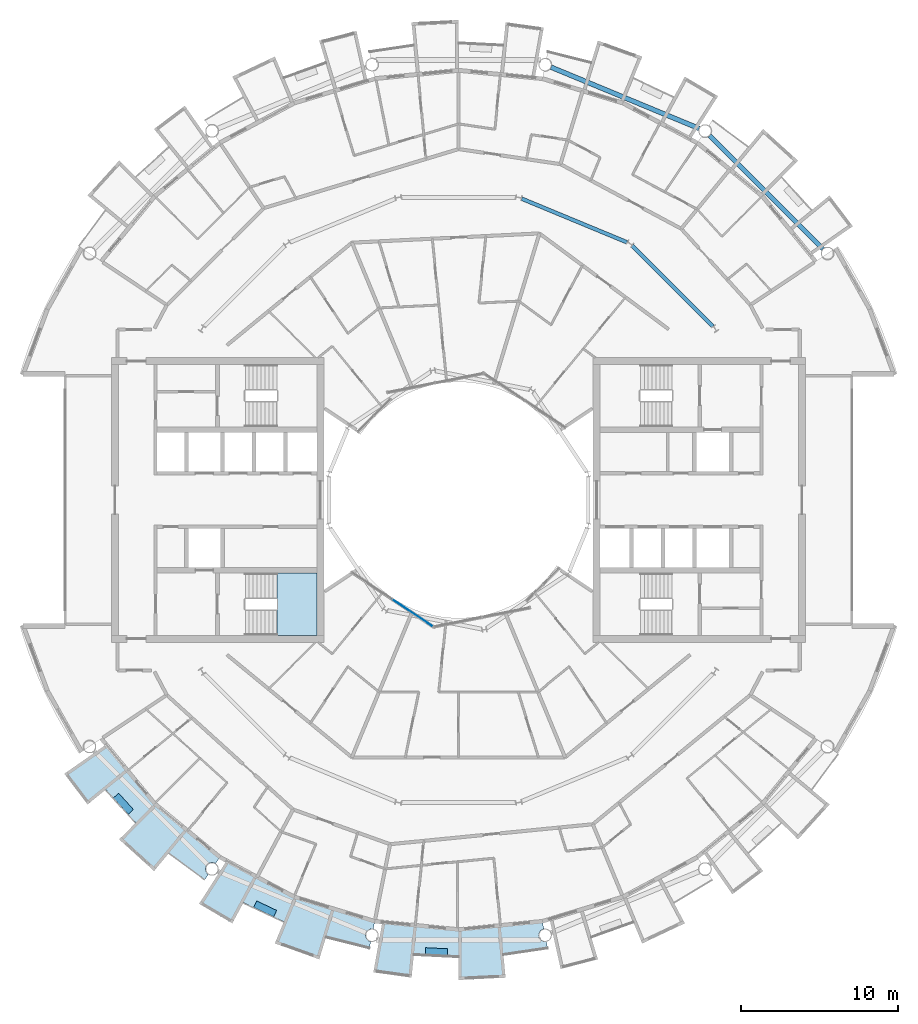
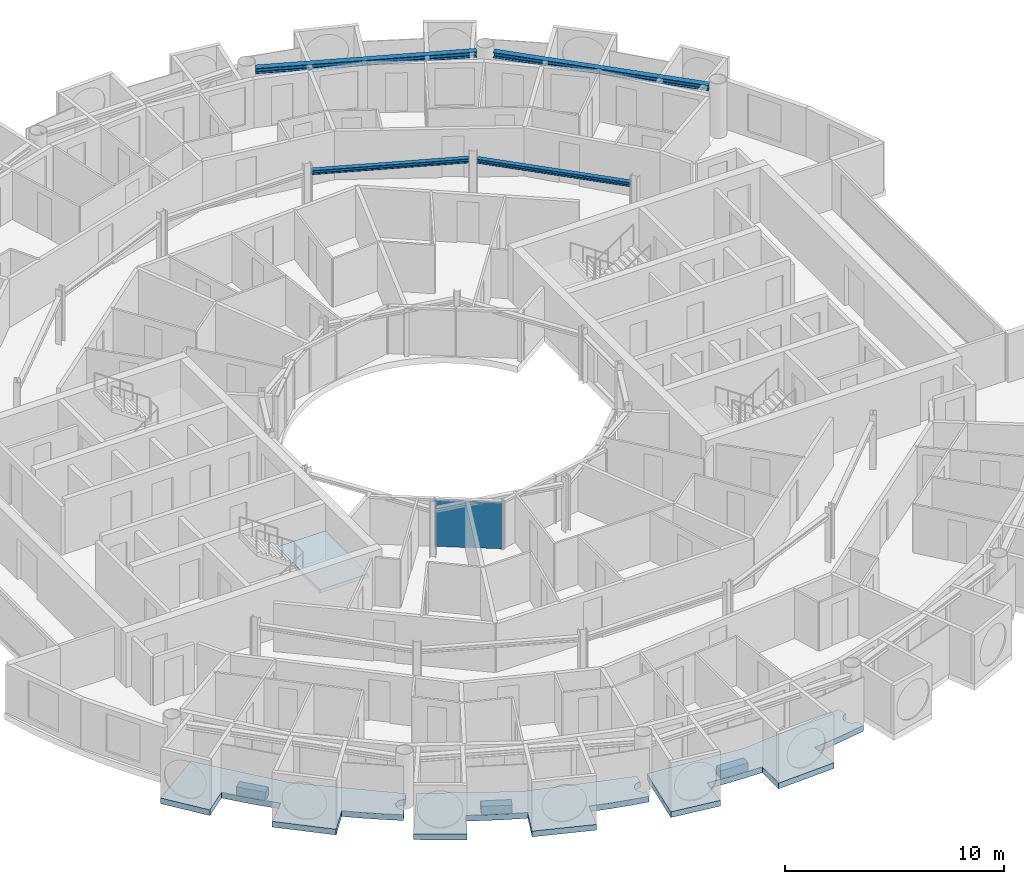
# One storey, part 11 of 29: 7 slabs, 4 beams, 1 plate, 2 elements without a shape of their own.
"""IFC4 building model written with IfcOpenShell, lengths in metres."""

from ifc_helpers import new_model, si_unit, direction, frame, origin, origin_2d, place, context, subcontext, project, spatial, polyline, rectangle, i_section, outline, extrude, material, layer, layer_set, material_profile, profile_set, type_object, element, aggregate, save


model = new_model("IFC4")

# Units and contexts
model_context = context("Model", 3, precision=1e-05, world=origin(), true_north=direction((0.0, 1.0)))
body_context = subcontext(model_context, "Body", "Model", "MODEL_VIEW")
ifc_project = project(units=[si_unit("LENGTHUNIT", "METRE"), si_unit("AREAUNIT", "SQUARE_METRE"), si_unit("VOLUMEUNIT", "CUBIC_METRE"), si_unit("PLANEANGLEUNIT", "RADIAN"), si_unit("MASSUNIT", "GRAM", prefix="KILO")], contexts=[model_context])

# Site, building, storey
site_placement = place(None, origin())
site = spatial("IfcSite", under=ifc_project, at=site_placement, CompositionType="ELEMENT")
building_placement = place(site_placement, origin())
building = spatial("IfcBuilding", under=site, at=building_placement, Name="Maasbend Ring Residences", CompositionType="ELEMENT")
storey_placement = place(building_placement, frame((0.0, 0.0, 202.39990234375)))
storey = spatial("IfcBuildingStorey", under=building, at=storey_placement, Name="L58", CompositionType="ELEMENT", Elevation=202.39990234375)

# Beams
ifc_material_1 = material(Name="Steel S355J2", Category="steel")
ifc_material_profile_1 = material_profile(ifc_material_1, i_section(OverallWidth=0.239990234375, OverallDepth=0.22998046875, WebThickness=0.007568359375, FlangeThickness=0.011962890625, FilletRadius=0.02099609375, at=origin_2d()), Name="HEA 240")
ifc_profile_set_1 = profile_set([ifc_material_profile_1], Name="Steel S355J2")
beam_type_1 = type_object("IfcBeamType", Name="Corridor ring beam HEA 240", PredefinedType="BEAM", material=ifc_profile_set_1)
beam_1_placement = place(storey_placement, frame((16.152587890625, 11.033447265625, 2.585205078125), z_axis=(-0.707106781187, 0.707106781187, 0.0), x_axis=(-0.707106781187, -0.707106781187, 0.0)))
element("IfcBeam", 1, at=beam_1_placement, inside=storey, type_object=beam_type_1, Name="Corridor ring beam", PredefinedType="BEAM", context=body_context, shape_type="SweptSolid", body=[
    extrude(i_section(OverallWidth=0.239990234375, OverallDepth=0.22998046875, WebThickness=0.007568359375, FlangeThickness=0.011962890625, FilletRadius=0.02099609375, at=origin_2d()), origin(), (0.0, 0.0, 1.0), 7.239501953125),
])
beam_2_placement = place(storey_placement, frame((10.70068359375, 16.374755859375, 2.585205078125), z_axis=(-0.923865162022, 0.382718123952, 0.0), x_axis=(-0.382718123952, -0.923865162022, 0.0)))
element("IfcBeam", 2, at=beam_2_placement, inside=storey, type_object=beam_type_1, Name="Corridor ring beam", PredefinedType="BEAM", context=body_context, shape_type="SweptSolid", body=[
    extrude(i_section(OverallWidth=0.239990234375, OverallDepth=0.22998046875, WebThickness=0.007568359375, FlangeThickness=0.011962890625, FilletRadius=0.02099609375, at=origin_2d()), origin(), (0.0, 0.0, 1.0), 7.23974609375),
])
ifc_material_2 = material(Name="Steel S355J2", Category="steel")
ifc_material_profile_2 = material_profile(ifc_material_2, i_section(OverallWidth=0.300048828125, OverallDepth=0.300048828125, WebThickness=0.010986328125, FlangeThickness=0.01904296875, FilletRadius=0.027099609375, at=origin_2d()), Name="HEB 300")
ifc_profile_set_2 = profile_set([ifc_material_profile_2], Name="Steel S355J2")
beam_type_2 = type_object("IfcBeamType", Name="Spandrel ring beam HEB 300", PredefinedType="SPANDREL", material=ifc_profile_set_2)
for number, where, z_axis, x_axis, name in (
    (3, (23.159912109375, 15.95458984375, 2.550048828125), (-0.707106781187, 0.707106781187, 0.0), (-0.707106781187, -0.707106781187, 0.0), "Spandrel ring beam"),
    (4, (15.29150390625, 23.60302734375, 2.550048828125), (-0.923883676188, 0.382673428492, 0.0), (-0.382673428492, -0.923883676188, 0.0), "Spandrel ring beam"),
):
    element("IfcBeam", number, at=place(storey_placement, frame(where, z_axis=z_axis, x_axis=x_axis)), inside=storey, type_object=beam_type_2, Name=name, PredefinedType="SPANDREL", context=body_context, shape_type="SweptSolid", body=[
        extrude(i_section(OverallWidth=0.300048828125, OverallDepth=0.300048828125, WebThickness=0.010986328125, FlangeThickness=0.01904296875, FilletRadius=0.027099609375, at=origin_2d()), origin(), (0.0, 0.0, 1.0), 10.18994140625),
    ])

# Stair, slab
ifc_material_3 = material(Name="Concrete C40/50", Category="concrete")
stair_type = type_object("IfcStairType", Name="CORE STAIR 18 RISERS", PredefinedType="HALF_TURN_STAIR", material=ifc_material_3)
stair_placement = place(storey_placement, origin())
stair = element("IfcStair", 5, at=stair_placement, inside=storey, type_object=stair_type, Name="L58 Exit stair ST-W1", PredefinedType="HALF_TURN_STAIR")
ifc_material_4 = material(Name="Concrete C40/50", Category="concrete")
ifc_layer_1 = layer(ifc_material_4, 0.199951171875)
ifc_layer_set_1 = layer_set([ifc_layer_1], Name="Concrete C40/50")
slab_type_1 = type_object("IfcSlabType", Name="CORE STAIR LANDING 200", PredefinedType="LANDING", material=ifc_layer_set_1)
slab_1_placement = place(storey_placement, frame((0.0, 0.0, 1.3251953125)))
slab_1 = element("IfcSlab", 6, at=slab_1_placement, type_object=slab_type_1, Name="ST-W1 landing 1", PredefinedType="LANDING", context=body_context, shape_type="SweptSolid", body=[
    extrude(outline(polyline([(-11.550048828125, -8.60009765625), (-9.0, -8.60009765625), (-9.0, -4.64990234375), (-11.550048828125, -4.64990234375), (-11.550048828125, -8.60009765625)])), origin(), (0.0, 0.0, 1.0), 0.199951171875),
])
aggregate(stair, [slab_1])

# Curtain wall, plate
ifc_material_5 = material(Name="Aluminium and clear glass", Category="aluminium")
ifc_layer_2 = layer(ifc_material_5, 0.179931640625)
ifc_layer_set_2 = layer_set([ifc_layer_2], Name="CW-W")
curtain_wall_type = type_object("IfcCurtainWallType", Name="CW-W", PredefinedType="NOTDEFINED", material=ifc_layer_set_2)
curtain_wall_placement = place(storey_placement, origin())
curtain_wall = element("IfcCurtainWall", 7, at=curtain_wall_placement, inside=storey, type_object=curtain_wall_type, Name="Well curtain wall S1", PredefinedType="NOTDEFINED")
ifc_material_6 = material(Name="Glass clear laminated", Category="glass")
ifc_layer_3 = layer(ifc_material_6, 0.031982421875)
ifc_layer_set_3 = layer_set([ifc_layer_3], Name="CWP-W")
plate_type = type_object("IfcPlateType", Name="CWP-W", PredefinedType="CURTAIN_PANEL", material=ifc_layer_set_3)
plate_placement = place(storey_placement, frame((-2.922119140625, -7.17578125, 0.0), z_axis=(0.0, 0.0, 1.0), x_axis=(0.831469612303, -0.55557023302, 0.0)))
plate = element("IfcPlate", 8, at=plate_placement, type_object=plate_type, Name="Glass panel well face", PredefinedType="CURTAIN_PANEL", context=body_context, shape_type="SweptSolid", body=[
    extrude(rectangle(XDim=3.053955078125, YDim=0.031982421875, at=origin_2d()), origin(), (0.0, 0.0, 1.0), 2.580078125),
])
aggregate(curtain_wall, [plate])

# Slabs
ifc_material_7 = material(Name="Planting with climbing greenery")
ifc_layer_4 = layer(ifc_material_7, 0.449951171875)
ifc_layer_set_4 = layer_set([ifc_layer_4], Name="PLANTER-LG")
slab_type_2 = type_object("IfcSlabType", Name="PLANTER-LG", PredefinedType="USERDEFINED", material=ifc_layer_set_4)
slab_2_placement = place(storey_placement, frame((0.0, 0.0, -0.02978515625)))
element("IfcSlab", 9, at=slab_2_placement, inside=storey, type_object=slab_type_2, Name="Planter with climbing greenery 1", ObjectType="PLANTER", PredefinedType="USERDEFINED", context=body_context, shape_type="SweptSolid", body=[
    extrude(outline(polyline([(-21.931884765625, -18.93310546875), (-20.991943359375, -19.969970703125), (-20.657958984375, -19.66796875), (-21.597900390625, -18.631103515625), (-21.931884765625, -18.93310546875)])), origin(), (0.0, 0.0, 1.0), 0.449951171875),
])
slab_3_placement = place(storey_placement, frame((0.0, 0.0, -0.02978515625)))
element("IfcSlab", 10, at=slab_3_placement, inside=storey, type_object=slab_type_2, Name="Planter with climbing greenery 2", ObjectType="PLANTER", PredefinedType="USERDEFINED", context=body_context, shape_type="SweptSolid", body=[
    extrude(outline(polyline([(-13.01708984375, -25.885009765625), (-11.7509765625, -26.48291015625), (-11.55908203125, -26.076904296875), (-12.824951171875, -25.47802734375), (-13.01708984375, -25.885009765625)])), origin(), (0.0, 0.0, 1.0), 0.449951171875),
])
slab_4_placement = place(storey_placement, frame((0.0, 0.0, -0.02978515625)))
element("IfcSlab", 11, at=slab_4_placement, inside=storey, type_object=slab_type_2, Name="Planter with climbing greenery 3", ObjectType="PLANTER", PredefinedType="USERDEFINED", context=body_context, shape_type="SweptSolid", body=[
    extrude(outline(polyline([(-2.1201171875, -28.89599609375), (-0.721923828125, -28.965087890625), (-0.699951171875, -28.514892578125), (-2.097900390625, -28.446044921875), (-2.1201171875, -28.89599609375)])), origin(), (0.0, 0.0, 1.0), 0.449951171875),
])
ifc_material_8 = material(Name="Concrete C40/50", Category="concrete")
ifc_layer_5 = layer(ifc_material_8, 0.199951171875)
ifc_layer_set_5 = layer_set([ifc_layer_5], Name="Concrete C40/50")
slab_type_3 = type_object("IfcSlabType", Name="SL-LOGGIA", PredefinedType="FLOOR", material=ifc_layer_set_5)
slab_5_placement = place(storey_placement, frame((0.0, 0.0, -0.349853515625)))
element("IfcSlab", 12, at=slab_5_placement, inside=storey, type_object=slab_type_3, Name="Loggia floor 2", PredefinedType="FLOOR", context=body_context, shape_type="SweptSolid", body=[
    extrude(outline(polyline([(-12.806884765625, -23.9609375), (-10.447021484375, -25.221923828125), (-10.447021484375, -25.221923828125), (-10.447021484375, -25.221923828125), (-7.886962890625, -25.9990234375), (-5.325927734375, -26.77490234375), (-5.325927734375, -26.77490234375), (-5.325927734375, -26.77490234375), (-5.422119140625, -27.259033203125), (-5.431884765625, -27.258056640625), (-5.44189453125, -27.256103515625), (-5.451904296875, -27.2548828125), (-5.4619140625, -27.25390625), (-5.471923828125, -27.2529296875), (-5.48193359375, -27.251953125), (-5.491943359375, -27.251953125), (-5.501953125, -27.251953125), (-5.510986328125, -27.251953125), (-5.52099609375, -27.251953125), (-5.531005859375, -27.2529296875), (-5.541015625, -27.25390625), (-5.551025390625, -27.2548828125), (-5.56103515625, -27.256103515625), (-5.571044921875, -27.258056640625), (-5.5810546875, -27.259033203125), (-5.591064453125, -27.260986328125), (-5.60009765625, -27.263916015625), (-5.610107421875, -27.26611328125), (-5.6201171875, -27.26904296875), (-5.62890625, -27.27197265625), (-5.637939453125, -27.27490234375), (-5.64794921875, -27.279052734375), (-5.656982421875, -27.282958984375), (-5.666015625, -27.285888671875), (-5.675048828125, -27.291015625), (-5.68408203125, -27.294921875), (-5.693115234375, -27.300048828125), (-5.701904296875, -27.303955078125), (-5.7099609375, -27.30908203125), (-5.718994140625, -27.31494140625), (-5.72705078125, -27.320068359375), (-5.736083984375, -27.325927734375), (-5.743896484375, -27.33203125), (-5.751953125, -27.337890625), (-5.759033203125, -27.343994140625), (-5.76708984375, -27.35009765625), (-5.77392578125, -27.35693359375), (-5.781982421875, -27.364013671875), (-5.7890625, -27.37109375), (-5.7958984375, -27.3779296875), (-5.802978515625, -27.385009765625), (-5.80908203125, -27.39306640625), (-5.81591796875, -27.39990234375), (-5.822021484375, -27.407958984375), (-5.827880859375, -27.416015625), (-5.833984375, -27.424072265625), (-5.839111328125, -27.431884765625), (-5.844970703125, -27.44091796875), (-5.85009765625, -27.448974609375), (-5.85498046875, -27.4580078125), (-5.860107421875, -27.466064453125), (-5.864990234375, -27.47509765625), (-5.868896484375, -27.48388671875), (-5.873046875, -27.492919921875), (-5.876953125, -27.5029296875), (-5.881103515625, -27.511962890625), (-5.884033203125, -27.52099609375), (-5.886962890625, -27.531005859375), (-5.889892578125, -27.5400390625), (-5.89306640625, -27.550048828125), (-5.89599609375, -27.55908203125), (-5.89794921875, -27.569091796875), (-5.89990234375, -27.5791015625), (-5.902099609375, -27.589111328125), (-5.904052734375, -27.597900390625), (-5.905029296875, -27.60791015625), (-5.906005859375, -27.617919921875), (-5.906982421875, -27.6279296875), (-5.907958984375, -27.637939453125), (-5.907958984375, -27.64794921875), (-5.907958984375, -27.657958984375), (-5.907958984375, -27.66796875), (-5.907958984375, -27.677978515625), (-5.906982421875, -27.68798828125), (-5.906005859375, -27.697998046875), (-5.905029296875, -27.7080078125), (-5.904052734375, -27.718017578125), (-5.902099609375, -27.72802734375), (-5.89990234375, -27.737060546875), (-5.89794921875, -27.7470703125), (-5.89599609375, -27.757080078125), (-5.89306640625, -27.76708984375), (-5.889892578125, -27.77587890625), (-5.886962890625, -27.785888671875), (-5.884033203125, -27.794921875), (-5.881103515625, -27.803955078125), (-5.876953125, -27.81396484375), (-5.873046875, -27.822998046875), (-5.868896484375, -27.83203125), (-5.864990234375, -27.841064453125), (-5.860107421875, -27.85009765625), (-5.85498046875, -27.85791015625), (-5.85009765625, -27.866943359375), (-5.844970703125, -27.8759765625), (-5.839111328125, -27.884033203125), (-5.833984375, -27.89208984375), (-5.827880859375, -27.89990234375), (-5.822021484375, -27.907958984375), (-5.81591796875, -27.916015625), (-5.80908203125, -27.924072265625), (-5.802978515625, -27.930908203125), (-5.7958984375, -27.93798828125), (-5.7890625, -27.946044921875), (-5.781982421875, -27.952880859375), (-5.77392578125, -27.958984375), (-5.76708984375, -27.966064453125), (-5.759033203125, -27.971923828125), (-5.751953125, -27.97900390625), (-5.743896484375, -27.985107421875), (-5.736083984375, -27.989990234375), (-5.72705078125, -27.99609375), (-5.718994140625, -28.001953125), (-5.7099609375, -28.007080078125), (-5.701904296875, -28.011962890625), (-5.693115234375, -28.01708984375), (-5.68408203125, -28.02099609375), (-5.675048828125, -28.02587890625), (-5.666015625, -28.030029296875), (-5.656982421875, -28.033935546875), (-5.64794921875, -28.037109375), (-5.637939453125, -28.041015625), (-5.62890625, -28.0439453125), (-5.6201171875, -28.047119140625), (-5.610107421875, -28.050048828125), (-5.60009765625, -28.052001953125), (-5.591064453125, -28.054931640625), (-5.5810546875, -28.056884765625), (-5.657958984375, -28.443115234375), (-5.657958984375, -28.443115234375), (-5.657958984375, -28.443115234375), (-6.5849609375, -28.241943359375), (-6.5849609375, -28.241943359375), (-7.506103515625, -28.011962890625), (-7.506103515625, -28.011962890625), (-8.41796875, -27.7509765625), (-8.41796875, -27.7509765625), (-8.41796875, -27.7509765625), (-8.41796875, -27.7509765625), (-8.41796875, -27.7509765625), (-8.41796875, -27.7509765625), (-8.41796875, -27.7509765625), (-8.41796875, -27.7509765625), (-8.41796875, -27.7509765625), (-8.41796875, -27.7509765625), (-8.41796875, -27.751953125), (-8.41796875, -27.751953125), (-8.41796875, -27.751953125), (-8.41796875, -27.751953125), (-8.41796875, -27.751953125), (-8.41796875, -27.751953125), (-8.41796875, -27.751953125), (-8.85400390625, -29.18701171875), (-8.85400390625, -29.18701171875), (-8.85400390625, -29.18701171875), (-11.672119140625, -28.177978515625), (-11.672119140625, -28.177978515625), (-11.672119140625, -28.177978515625), (-11.097900390625, -26.79296875), (-11.097900390625, -26.79296875), (-11.097900390625, -26.79296875), (-11.097900390625, -26.79296875), (-11.097900390625, -26.79296875), (-11.097900390625, -26.79296875), (-11.097900390625, -26.79296875), (-11.097900390625, -26.79296875), (-11.097900390625, -26.79296875), (-11.097900390625, -26.79296875), (-11.097900390625, -26.7919921875), (-11.097900390625, -26.7919921875), (-11.097900390625, -26.7919921875), (-11.097900390625, -26.7919921875), (-11.097900390625, -26.7919921875), (-11.097900390625, -26.7919921875), (-11.097900390625, -26.7919921875), (-11.968994140625, -26.4150390625), (-11.968994140625, -26.4150390625), (-12.825927734375, -26.009033203125), (-12.825927734375, -26.009033203125), (-13.669921875, -25.575927734375), (-13.669921875, -25.575927734375), (-13.669921875, -25.575927734375), (-13.669921875, -25.575927734375), (-13.669921875, -25.575927734375), (-13.669921875, -25.575927734375), (-13.669921875, -25.575927734375), (-13.669921875, -25.575927734375), (-13.669921875, -25.575927734375), (-13.669921875, -25.575927734375), (-13.6708984375, -25.575927734375), (-13.6708984375, -25.575927734375), (-13.6708984375, -25.575927734375), (-13.6708984375, -25.575927734375), (-13.6708984375, -25.575927734375), (-13.6708984375, -25.575927734375), (-13.6708984375, -25.575927734375), (-14.3779296875, -26.89892578125), (-14.3779296875, -26.89892578125), (-14.3779296875, -26.89892578125), (-16.487060546875, -25.659912109375), (-16.487060546875, -25.659912109375), (-16.487060546875, -25.659912109375), (-14.73291015625, -22.930908203125), (-14.73291015625, -22.930908203125), (-14.73291015625, -22.930908203125), (-12.806884765625, -23.9609375)])), origin(), (0.0, 0.0, 1.0), 0.320068359375),
])
slab_6_placement = place(storey_placement, frame((0.0, 0.0, -0.349853515625)))
element("IfcSlab", 13, at=slab_6_placement, inside=storey, type_object=slab_type_3, Name="Loggia floor 3", PredefinedType="FLOOR", context=body_context, shape_type="SweptSolid", body=[
    extrude(outline(polyline([(-2.6630859375, -27.0380859375), (0.0, -27.300048828125), (0.0, -27.300048828125), (0.0, -27.300048828125), (2.6630859375, -27.0380859375), (5.325927734375, -26.77490234375), (5.325927734375, -26.77490234375), (5.325927734375, -26.77490234375), (5.422119140625, -27.259033203125), (5.422119140625, -27.259033203125), (5.412109375, -27.260986328125), (5.403076171875, -27.263916015625), (5.39306640625, -27.26611328125), (5.383056640625, -27.26904296875), (5.3740234375, -27.27197265625), (5.364990234375, -27.27490234375), (5.35498046875, -27.279052734375), (5.345947265625, -27.282958984375), (5.3369140625, -27.285888671875), (5.327880859375, -27.291015625), (5.319091796875, -27.294921875), (5.31005859375, -27.300048828125), (5.301025390625, -27.303955078125), (5.29296875, -27.30908203125), (5.283935546875, -27.31494140625), (5.27587890625, -27.320068359375), (5.26708984375, -27.325927734375), (5.259033203125, -27.33203125), (5.2509765625, -27.337890625), (5.243896484375, -27.343994140625), (5.236083984375, -27.35009765625), (5.22900390625, -27.35693359375), (5.220947265625, -27.364013671875), (5.214111328125, -27.37109375), (5.20703125, -27.3779296875), (5.199951171875, -27.385009765625), (5.194091796875, -27.39306640625), (5.18701171875, -27.39990234375), (5.180908203125, -27.407958984375), (5.175048828125, -27.416015625), (5.1689453125, -27.424072265625), (5.1640625, -27.431884765625), (5.157958984375, -27.44091796875), (5.153076171875, -27.448974609375), (5.14794921875, -27.4580078125), (5.14306640625, -27.466064453125), (5.137939453125, -27.47509765625), (5.134033203125, -27.48388671875), (5.1298828125, -27.492919921875), (5.1259765625, -27.5029296875), (5.1220703125, -27.511962890625), (5.118896484375, -27.52099609375), (5.115966796875, -27.531005859375), (5.113037109375, -27.5400390625), (5.110107421875, -27.550048828125), (5.10693359375, -27.55908203125), (5.10498046875, -27.569091796875), (5.10302734375, -27.5791015625), (5.10107421875, -27.589111328125), (5.09912109375, -27.597900390625), (5.097900390625, -27.60791015625), (5.096923828125, -27.617919921875), (5.095947265625, -27.6279296875), (5.094970703125, -27.637939453125), (5.094970703125, -27.64794921875), (5.094970703125, -27.657958984375), (5.094970703125, -27.66796875), (5.094970703125, -27.677978515625), (5.095947265625, -27.68798828125), (5.096923828125, -27.697998046875), (5.097900390625, -27.7080078125), (5.09912109375, -27.718017578125), (5.10107421875, -27.72802734375), (5.10302734375, -27.737060546875), (5.10498046875, -27.7470703125), (5.10693359375, -27.757080078125), (5.110107421875, -27.76708984375), (5.113037109375, -27.77587890625), (5.115966796875, -27.785888671875), (5.118896484375, -27.794921875), (5.1220703125, -27.803955078125), (5.1259765625, -27.81396484375), (5.1298828125, -27.822998046875), (5.134033203125, -27.83203125), (5.137939453125, -27.841064453125), (5.14306640625, -27.85009765625), (5.14794921875, -27.85791015625), (5.153076171875, -27.866943359375), (5.157958984375, -27.8759765625), (5.1640625, -27.884033203125), (5.1689453125, -27.89208984375), (5.175048828125, -27.89990234375), (5.180908203125, -27.907958984375), (5.18701171875, -27.916015625), (5.194091796875, -27.924072265625), (5.199951171875, -27.930908203125), (5.20703125, -27.93798828125), (5.214111328125, -27.946044921875), (5.220947265625, -27.952880859375), (5.22900390625, -27.958984375), (5.236083984375, -27.966064453125), (5.243896484375, -27.971923828125), (5.2509765625, -27.97900390625), (5.259033203125, -27.985107421875), (5.26708984375, -27.989990234375), (5.27587890625, -27.99609375), (5.283935546875, -28.001953125), (5.29296875, -28.007080078125), (5.301025390625, -28.011962890625), (5.31005859375, -28.01708984375), (5.319091796875, -28.02099609375), (5.327880859375, -28.02587890625), (5.3369140625, -28.030029296875), (5.345947265625, -28.033935546875), (5.35498046875, -28.037109375), (5.364990234375, -28.041015625), (5.3740234375, -28.0439453125), (5.383056640625, -28.047119140625), (5.39306640625, -28.050048828125), (5.403076171875, -28.052001953125), (5.412109375, -28.054931640625), (5.422119140625, -28.056884765625), (5.431884765625, -28.05908203125), (5.44189453125, -28.06005859375), (5.451904296875, -28.06201171875), (5.4619140625, -28.06298828125), (5.471923828125, -28.06298828125), (5.48193359375, -28.06396484375), (5.491943359375, -28.06396484375), (5.501953125, -28.06494140625), (5.510986328125, -28.06396484375), (5.52099609375, -28.06396484375), (5.531005859375, -28.06298828125), (5.541015625, -28.06298828125), (5.551025390625, -28.06201171875), (5.56103515625, -28.06005859375), (5.571044921875, -28.05908203125), (5.5810546875, -28.056884765625), (5.5810546875, -28.056884765625), (5.657958984375, -28.443115234375), (5.657958984375, -28.443115234375), (5.657958984375, -28.443115234375), (4.72412109375, -28.613037109375), (4.72412109375, -28.613037109375), (3.784912109375, -28.751953125), (3.784912109375, -28.751953125), (2.843017578125, -28.860107421875), (2.843017578125, -28.860107421875), (2.843017578125, -28.860107421875), (2.843017578125, -28.860107421875), (2.843017578125, -28.860107421875), (2.843017578125, -28.860107421875), (2.843017578125, -28.860107421875), (2.843017578125, -28.860107421875), (2.843017578125, -28.860107421875), (2.843017578125, -28.861083984375), (2.843017578125, -28.861083984375), (2.843017578125, -28.861083984375), (2.843017578125, -28.861083984375), (2.843017578125, -28.861083984375), (2.843017578125, -28.861083984375), (2.843017578125, -28.861083984375), (2.843017578125, -28.861083984375), (2.989990234375, -30.35302734375), (2.989990234375, -30.35302734375), (2.989990234375, -30.35302734375), (0.0, -30.5), (0.0, -30.5), (0.0, -30.5), (0.0, -29.0), (0.0, -29.0), (0.0, -29.0), (0.0, -29.0), (0.0, -29.0), (0.0, -29.0), (0.0, -29.0), (0.0, -29.0), (0.0, -29.0), (0.0, -29.0), (0.0, -29.0), (0.0, -29.0), (0.0, -29.0), (0.0, -29.0), (0.0, -29.0), (0.0, -29.0), (0.0, -29.0), (-0.948974609375, -28.98388671875), (-0.948974609375, -28.98388671875), (-1.89697265625, -28.93798828125), (-1.89697265625, -28.93798828125), (-2.842041015625, -28.860107421875), (-2.842041015625, -28.860107421875), (-2.842041015625, -28.860107421875), (-2.842041015625, -28.860107421875), (-2.842041015625, -28.860107421875), (-2.842041015625, -28.860107421875), (-2.842041015625, -28.860107421875), (-2.842041015625, -28.860107421875), (-2.842041015625, -28.861083984375), (-2.842041015625, -28.861083984375), (-2.842041015625, -28.861083984375), (-2.842041015625, -28.861083984375), (-2.842041015625, -28.861083984375), (-2.843017578125, -28.861083984375), (-2.843017578125, -28.861083984375), (-2.843017578125, -28.861083984375), (-2.843017578125, -28.861083984375), (-2.989990234375, -30.35302734375), (-2.989990234375, -30.35302734375), (-2.989990234375, -30.35302734375), (-5.412109375, -30.01611328125), (-5.412109375, -30.01611328125), (-5.412109375, -30.01611328125), (-4.8359375, -26.823974609375), (-4.8359375, -26.823974609375), (-4.8359375, -26.823974609375), (-2.6630859375, -27.0380859375)])), origin(), (0.0, 0.0, 1.0), 0.320068359375),
])
slab_7_placement = place(storey_placement, frame((0.0, 0.0, -0.349853515625)))
element("IfcSlab", 14, at=slab_7_placement, inside=storey, type_object=slab_type_3, Name="Loggia floor 5", PredefinedType="FLOOR", context=body_context, shape_type="SweptSolid", body=[
    extrude(outline(polyline([(-21.001953125, -17.236083984375), (-19.303955078125, -19.303955078125), (-19.303955078125, -19.303955078125), (-19.303955078125, -19.303955078125), (-17.236083984375, -21.001953125), (-15.1669921875, -22.698974609375), (-15.1669921875, -22.698974609375), (-15.1669921875, -22.698974609375), (-15.44091796875, -23.10888671875), (-15.44091796875, -23.10888671875), (-15.449951171875, -23.10400390625), (-15.4580078125, -23.09912109375), (-15.467041015625, -23.093994140625), (-15.47509765625, -23.089111328125), (-15.48388671875, -23.083984375), (-15.492919921875, -23.080078125), (-15.501953125, -23.075927734375), (-15.511962890625, -23.072021484375), (-15.52099609375, -23.068115234375), (-15.530029296875, -23.06494140625), (-15.5400390625, -23.06103515625), (-15.549072265625, -23.05810546875), (-15.55908203125, -23.055908203125), (-15.568115234375, -23.052978515625), (-15.577880859375, -23.051025390625), (-15.587890625, -23.049072265625), (-15.597900390625, -23.047119140625), (-15.60693359375, -23.044921875), (-15.616943359375, -23.0439453125), (-15.626953125, -23.04296875), (-15.636962890625, -23.0419921875), (-15.64697265625, -23.041015625), (-15.656982421875, -23.041015625), (-15.6669921875, -23.041015625), (-15.677001953125, -23.041015625), (-15.68701171875, -23.041015625), (-15.697021484375, -23.0419921875), (-15.70703125, -23.04296875), (-15.717041015625, -23.0439453125), (-15.72705078125, -23.044921875), (-15.737060546875, -23.047119140625), (-15.74609375, -23.049072265625), (-15.756103515625, -23.051025390625), (-15.76611328125, -23.052978515625), (-15.77587890625, -23.055908203125), (-15.784912109375, -23.05810546875), (-15.794921875, -23.06103515625), (-15.803955078125, -23.06494140625), (-15.81298828125, -23.068115234375), (-15.822998046875, -23.072021484375), (-15.83203125, -23.075927734375), (-15.841064453125, -23.080078125), (-15.85009765625, -23.083984375), (-15.85888671875, -23.089111328125), (-15.866943359375, -23.093994140625), (-15.8759765625, -23.09912109375), (-15.885009765625, -23.10400390625), (-15.89306640625, -23.10888671875), (-15.90087890625, -23.114990234375), (-15.908935546875, -23.12109375), (-15.9169921875, -23.126953125), (-15.925048828125, -23.133056640625), (-15.93310546875, -23.139892578125), (-15.93994140625, -23.14599609375), (-15.947021484375, -23.153076171875), (-15.955078125, -23.159912109375), (-15.9619140625, -23.1669921875), (-15.968017578125, -23.174072265625), (-15.97509765625, -23.181884765625), (-15.98095703125, -23.18994140625), (-15.988037109375, -23.197021484375), (-15.993896484375, -23.205078125), (-15.9990234375, -23.212890625), (-16.0048828125, -23.221923828125), (-16.010986328125, -23.22998046875), (-16.01611328125, -23.238037109375), (-16.02099609375, -23.2470703125), (-16.02587890625, -23.256103515625), (-16.030029296875, -23.264892578125), (-16.034912109375, -23.27392578125), (-16.0390625, -23.282958984375), (-16.04296875, -23.2919921875), (-16.0458984375, -23.301025390625), (-16.050048828125, -23.31005859375), (-16.052978515625, -23.320068359375), (-16.055908203125, -23.3291015625), (-16.05908203125, -23.339111328125), (-16.06103515625, -23.34912109375), (-16.06396484375, -23.35791015625), (-16.06591796875, -23.367919921875), (-16.068115234375, -23.3779296875), (-16.069091796875, -23.387939453125), (-16.071044921875, -23.39794921875), (-16.072021484375, -23.407958984375), (-16.072021484375, -23.4169921875), (-16.072998046875, -23.427001953125), (-16.072998046875, -23.43701171875), (-16.073974609375, -23.447021484375), (-16.072998046875, -23.45703125), (-16.072998046875, -23.467041015625), (-16.072021484375, -23.47705078125), (-16.072021484375, -23.487060546875), (-16.071044921875, -23.4970703125), (-16.069091796875, -23.507080078125), (-16.068115234375, -23.51708984375), (-16.06591796875, -23.527099609375), (-16.06396484375, -23.535888671875), (-16.06103515625, -23.5458984375), (-16.05908203125, -23.555908203125), (-16.055908203125, -23.56494140625), (-16.052978515625, -23.574951171875), (-16.050048828125, -23.583984375), (-16.0458984375, -23.593994140625), (-16.04296875, -23.60302734375), (-16.0390625, -23.612060546875), (-16.034912109375, -23.62109375), (-16.030029296875, -23.6298828125), (-16.02587890625, -23.638916015625), (-16.02099609375, -23.64794921875), (-16.01611328125, -23.656005859375), (-16.010986328125, -23.6650390625), (-16.0048828125, -23.673095703125), (-15.9990234375, -23.680908203125), (-15.993896484375, -23.68994140625), (-15.988037109375, -23.697021484375), (-15.98095703125, -23.705078125), (-15.97509765625, -23.712890625), (-15.968017578125, -23.719970703125), (-15.9619140625, -23.72802734375), (-15.955078125, -23.735107421875), (-15.947021484375, -23.741943359375), (-15.93994140625, -23.7490234375), (-15.93310546875, -23.7548828125), (-15.925048828125, -23.761962890625), (-15.9169921875, -23.76806640625), (-15.908935546875, -23.77392578125), (-15.90087890625, -23.780029296875), (-15.89306640625, -23.784912109375), (-15.89306640625, -23.784912109375), (-16.112060546875, -24.113037109375), (-16.112060546875, -24.113037109375), (-16.112060546875, -24.113037109375), (-16.89208984375, -23.572998046875), (-16.89208984375, -23.572998046875), (-17.654052734375, -23.007080078125), (-17.654052734375, -23.007080078125), (-18.39697265625, -22.41796875), (-18.39697265625, -22.41796875), (-18.39697265625, -22.41796875), (-18.39697265625, -22.41796875), (-18.39697265625, -22.41796875), (-18.39697265625, -22.41796875), (-18.39697265625, -22.41796875), (-18.39697265625, -22.41796875), (-18.39697265625, -22.41796875), (-18.39697265625, -22.41796875), (-18.39697265625, -22.41796875), (-18.39794921875, -22.41796875), (-18.39794921875, -22.41796875), (-18.39794921875, -22.41796875), (-18.39794921875, -22.41796875), (-18.39794921875, -22.41796875), (-18.39794921875, -22.41796875), (-19.34912109375, -23.576904296875), (-19.34912109375, -23.576904296875), (-19.34912109375, -23.576904296875), (-21.56689453125, -21.56689453125), (-21.56689453125, -21.56689453125), (-21.56689453125, -21.56689453125), (-20.506103515625, -20.506103515625), (-20.506103515625, -20.506103515625), (-20.506103515625, -20.506103515625), (-20.506103515625, -20.506103515625), (-20.506103515625, -20.506103515625), (-20.506103515625, -20.506103515625), (-20.506103515625, -20.506103515625), (-20.506103515625, -20.506103515625), (-20.506103515625, -20.506103515625), (-20.506103515625, -20.506103515625), (-20.506103515625, -20.506103515625), (-20.506103515625, -20.506103515625), (-20.506103515625, -20.506103515625), (-20.506103515625, -20.506103515625), (-20.506103515625, -20.506103515625), (-20.506103515625, -20.506103515625), (-20.506103515625, -20.506103515625), (-21.166015625, -19.823974609375), (-21.166015625, -19.823974609375), (-21.802978515625, -19.12109375), (-21.802978515625, -19.12109375), (-22.4169921875, -18.39794921875), (-22.4169921875, -18.39794921875), (-22.4169921875, -18.39794921875), (-22.4169921875, -18.39794921875), (-22.4169921875, -18.39794921875), (-22.4169921875, -18.39794921875), (-22.4169921875, -18.39794921875), (-22.4169921875, -18.39794921875), (-22.4169921875, -18.39794921875), (-22.4169921875, -18.39794921875), (-22.4169921875, -18.39794921875), (-22.4169921875, -18.39794921875), (-22.41796875, -18.39794921875), (-22.41796875, -18.39794921875), (-22.41796875, -18.39794921875), (-22.41796875, -18.39794921875), (-22.41796875, -18.39794921875), (-23.576904296875, -19.34912109375), (-23.576904296875, -19.34912109375), (-23.576904296875, -19.34912109375), (-25.051025390625, -17.39794921875), (-25.051025390625, -17.39794921875), (-25.051025390625, -17.39794921875), (-22.386962890625, -15.547119140625), (-22.386962890625, -15.547119140625), (-22.386962890625, -15.547119140625), (-21.001953125, -17.236083984375)])), origin(), (0.0, 0.0, 1.0), 0.320068359375),
])

save(model, "model.ifc")
